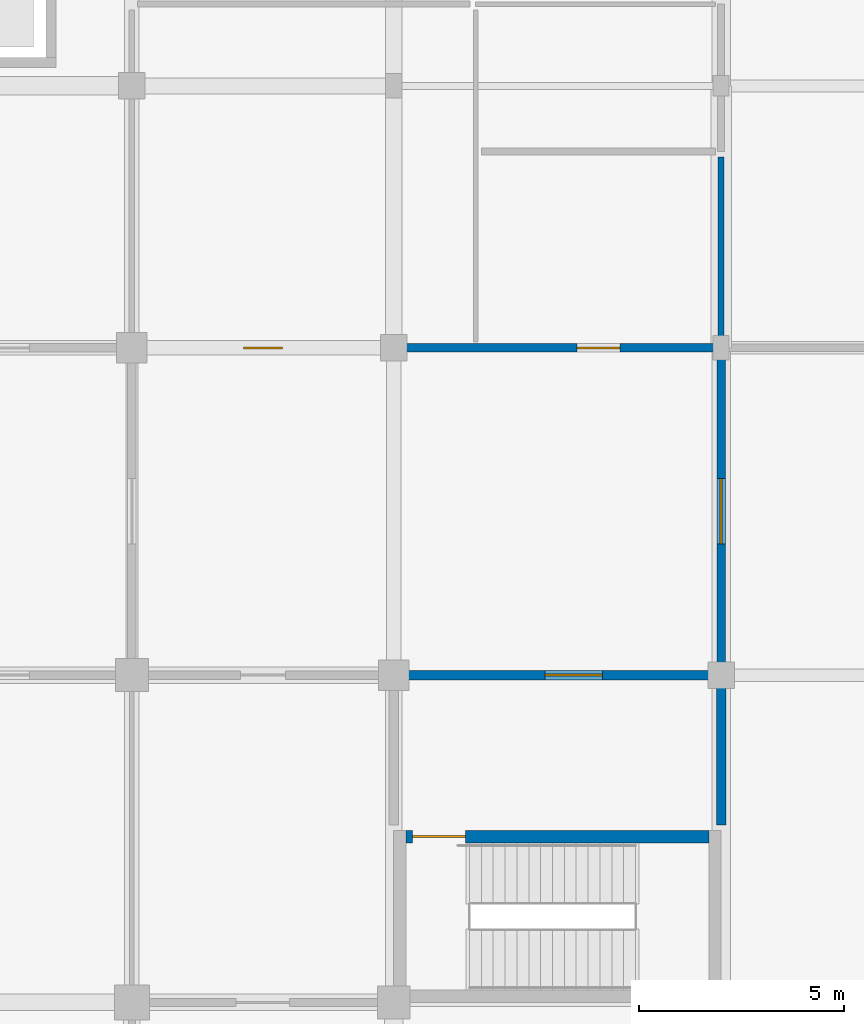
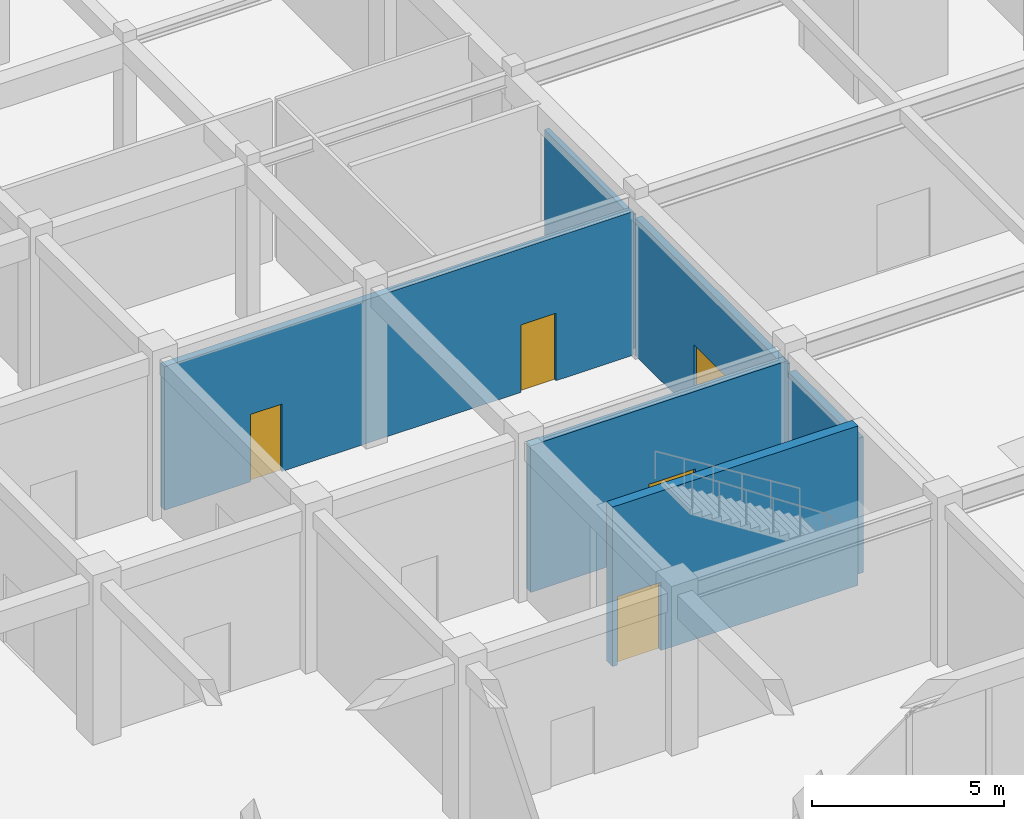
# One storey, part 25 of 40: 6 walls, 5 doors, 5 openings.
"""IFC4 building model written with IfcOpenShell, lengths in metres."""

from ifc_helpers import new_model, si_unit, direction, frame, frame_2d, origin, place, context, subcontext, project, spatial, rectangle, extrude, material, layer, layer_set, type_object, element, fill, save


model = new_model("IFC4")

# Units and contexts
model_context = context("Model", 3, precision=1e-05, world=origin(), true_north=direction((0.0, 1.0)))
body_context = subcontext(model_context, "Body", "Model", "MODEL_VIEW")
ifc_project = project(units=[si_unit("LENGTHUNIT", "METRE"), si_unit("AREAUNIT", "SQUARE_METRE"), si_unit("VOLUMEUNIT", "CUBIC_METRE"), si_unit("PLANEANGLEUNIT", "RADIAN"), si_unit("MASSUNIT", "GRAM", prefix="KILO")], contexts=[model_context])

# Site, building, storey
site_placement = place(None, origin())
site = spatial("IfcSite", under=ifc_project, at=site_placement, CompositionType="ELEMENT")
building_placement = place(site_placement, origin())
building = spatial("IfcBuilding", under=site, at=building_placement, Name="Vellmiral Cinema and Media Centre", CompositionType="ELEMENT")
storey_placement = place(building_placement, origin())
storey = spatial("IfcBuildingStorey", under=building, at=storey_placement, Name="L00", CompositionType="ELEMENT", Elevation=0.0)

# Wall, openings, doors
ifc_material_1 = material(Name="Concrete C40/50", Category="concrete")
ifc_layer_1 = layer(ifc_material_1, 0.2099609375, Name="Concrete C40/50")
ifc_layer_set_1 = layer_set([ifc_layer_1], Name="Concrete C40/50")
wall_type_1 = type_object("IfcWallType", Name="WL-COMP-210", PredefinedType="SOLIDWALL", material=ifc_layer_set_1)
wall_1_placement = place(storey_placement, frame((48.139892578125, 59.199951171875, 0.0), z_axis=(0.0, 0.0, 1.0), x_axis=(1.0, 0.0, 0.0)))
wall_1 = element("IfcWall", 1, at=wall_1_placement, inside=storey, type_object=wall_type_1, Name="L00 West Escape Passage Wall N", PredefinedType="SOLIDWALL", context=body_context, shape_type="SweptSolid", body=[
    extrude(rectangle(XDim=14.1201171875, YDim=0.2099609375, at=frame_2d((7.06005859375, 0.0))), origin(), (0.0, 0.0, 1.0), 4.574951171875),
])
opening_1_placement = place(wall_1_placement, frame((2.5849609375, 0.0, 0.0)))
opening_1 = element("IfcOpeningElement", 2, at=opening_1_placement, cuts=wall_1, Name="Opening D-I09", PredefinedType="OPENING", context=body_context, shape_type="SweptSolid", body=[
    extrude(rectangle(XDim=0.949951171875, YDim=2.14990234375, at=frame_2d((0.47509765625, 1.074951171875))), frame((0.0, 0.116943359375, 0.0), z_axis=(0.0, -1.0, 0.0), x_axis=(1.0, 0.0, 0.0)), (0.0, 0.0, 1.0), 0.23388671875),
])
opening_2_placement = place(wall_1_placement, frame((10.735107421875, 0.0, 0.0)))
opening_2 = element("IfcOpeningElement", 3, at=opening_2_placement, cuts=wall_1, Name="Opening D-I10", PredefinedType="OPENING", context=body_context, shape_type="SweptSolid", body=[
    extrude(rectangle(XDim=1.050048828125, YDim=2.14990234375, at=frame_2d((0.52490234375, 1.074951171875))), frame((0.0, 0.116943359375, 0.0), z_axis=(0.0, -1.0, 0.0), x_axis=(1.0, 0.0, 0.0)), (0.0, 0.0, 1.0), 0.23388671875),
])
ifc_material_2 = material(Name="Barrier-Free Timber Door", Category="wood")
door_type_1 = type_object("IfcDoorType", Name="DR-ACC-1050x2150", OperationType="NOTDEFINED", PredefinedType="DOOR", material=ifc_material_2)
door_1_placement = place(opening_2_placement, origin())
door_1 = element("IfcDoor", 4, at=door_1_placement, inside=storey, type_object=door_type_1, Name="Foyer Accessible WC Door", OperationType="SINGLE_SWING_RIGHT", OverallHeight=2.14990234375, OverallWidth=1.050048828125, PredefinedType="DOOR", context=body_context, shape_type="SweptSolid", body=[
    extrude(rectangle(XDim=1.050048828125, YDim=2.14990234375, at=frame_2d((0.52490234375, 1.074951171875))), frame((0.0, 0.02490234375, 0.0), z_axis=(0.0, -1.0, 0.0), x_axis=(1.0, 0.0, 0.0)), (0.0, 0.0, 1.0), 0.050048828125),
])
fill(opening_2, door_1)
ifc_material_3 = material(Name="Moisture-Resistant Timber Door", Category="wood")
door_type_2 = type_object("IfcDoorType", Name="DR-INT-950x2150", OperationType="NOTDEFINED", PredefinedType="DOOR", material=ifc_material_3)
door_2_placement = place(opening_1_placement, origin())
door_2 = element("IfcDoor", 5, at=door_2_placement, inside=storey, type_object=door_type_2, Name="Foyer Public WC Door", OperationType="SINGLE_SWING_LEFT", OverallHeight=2.14990234375, OverallWidth=0.949951171875, PredefinedType="DOOR", context=body_context, shape_type="SweptSolid", body=[
    extrude(rectangle(XDim=0.949951171875, YDim=2.14990234375, at=frame_2d((0.47509765625, 1.074951171875))), frame((0.0, 0.02490234375, 0.0), z_axis=(0.0, -1.0, 0.0), x_axis=(1.0, 0.0, 0.0)), (0.0, 0.0, 1.0), 0.050048828125),
])
fill(opening_1, door_2)

# Wall, opening, door
wall_2_placement = place(storey_placement, frame((62.39990234375, 51.340087890625, 0.0), z_axis=(0.0, 0.0, 1.0), x_axis=(0.0, 1.0, 0.0)))
wall_2 = element("IfcWall", 6, at=wall_2_placement, inside=storey, type_object=wall_type_1, Name="L00 West Escape Passage Wall E", PredefinedType="SOLIDWALL", context=body_context, shape_type="SweptSolid", body=[
    extrude(rectangle(XDim=7.719970703125, YDim=0.2099609375, at=frame_2d((3.85986328125, 0.0))), origin(), (0.0, 0.0, 1.0), 4.375),
])
opening_3_placement = place(wall_2_placement, frame((3.06005859375, 0.0, 0.0)))
opening_3 = element("IfcOpeningElement", 7, at=opening_3_placement, cuts=wall_2, Name="Opening D-FD60A", PredefinedType="OPENING", context=body_context, shape_type="SweptSolid", body=[
    extrude(rectangle(XDim=1.60009765625, YDim=2.199951171875, at=frame_2d((0.800048828125, 1.10009765625))), frame((0.0, 0.116943359375, 0.0), z_axis=(0.0, -1.0, 0.0), x_axis=(1.0, 0.0, 0.0)), (0.0, 0.0, 1.0), 0.23388671875),
])
ifc_material_4 = material(Name="Steel Fire Door", Category="steel")
door_type_3 = type_object("IfcDoorType", Name="DR-FD60-1600x2200", OperationType="DOUBLE_DOOR_SINGLE_SWING", PredefinedType="DOOR", material=ifc_material_4)
door_3_placement = place(opening_3_placement, origin())
door_3 = element("IfcDoor", 8, at=door_3_placement, inside=storey, type_object=door_type_3, Name="L00 West Escape Passage Door", OperationType="DOUBLE_DOOR_SINGLE_SWING", OverallHeight=2.199951171875, OverallWidth=1.60009765625, PredefinedType="DOOR", context=body_context, shape_type="SweptSolid", body=[
    extrude(rectangle(XDim=1.60009765625, YDim=2.199951171875, at=frame_2d((0.800048828125, 1.10009765625))), frame((0.0, 0.02490234375, 0.0), z_axis=(0.0, -1.0, 0.0), x_axis=(1.0, 0.0, 0.0)), (0.0, 0.0, 1.0), 0.050048828125),
])
fill(opening_3, door_3)

ifc_material_5 = material(Name="Concrete C40/50", Category="concrete")
ifc_layer_2 = layer(ifc_material_5, 0.300048828125, Name="Concrete C40/50")
ifc_layer_set_2 = layer_set([ifc_layer_2], Name="Concrete C40/50")
wall_type_2 = type_object("IfcWallType", Name="WL-CORE-300", PredefinedType="SHEAR", material=ifc_layer_set_2)
wall_3_placement = place(storey_placement, frame((54.699951171875, 47.25, 0.0), z_axis=(0.0, 0.0, 1.0), x_axis=(1.0, 0.0, 0.0)))
wall_3 = element("IfcWall", 9, at=wall_3_placement, inside=storey, type_object=wall_type_2, Name="Stair Core Wall ST-P3 L00-N", PredefinedType="SHEAR", context=body_context, shape_type="SweptSolid", body=[
    extrude(rectangle(XDim=7.400146484375, YDim=0.300048828125, at=frame_2d((3.7001953125, 0.0))), origin(), (0.0, 0.0, 1.0), 5.080078125),
])
opening_4_placement = place(wall_3_placement, frame((0.159912109375, 0.0, 0.0)))
opening_4 = element("IfcOpeningElement", 10, at=opening_4_placement, cuts=wall_3, Name="Opening D-FD30A", PredefinedType="OPENING", context=body_context, shape_type="SweptSolid", body=[
    extrude(rectangle(XDim=1.300048828125, YDim=2.179931640625, at=frame_2d((0.64990234375, 1.08984375))), frame((0.0, 0.162109375, 0.0), z_axis=(0.0, -1.0, 0.0), x_axis=(1.0, 0.0, 0.0)), (0.0, 0.0, 1.0), 0.323974609375),
])
ifc_material_6 = material(Name="Steel Stair Fire Door", Category="steel")
door_type_4 = type_object("IfcDoorType", Name="DR-FD30-1300x2180", OperationType="NOTDEFINED", PredefinedType="DOOR", material=ifc_material_6)
door_4_placement = place(opening_4_placement, origin())
door_4 = element("IfcDoor", 11, at=door_4_placement, inside=storey, type_object=door_type_4, Name="Protected Stair Door ST-P3 L00", OperationType="SINGLE_SWING_LEFT", OverallHeight=2.179931640625, OverallWidth=1.300048828125, PredefinedType="DOOR", context=body_context, shape_type="SweptSolid", body=[
    extrude(rectangle(XDim=1.300048828125, YDim=2.179931640625, at=frame_2d((0.64990234375, 1.08984375))), frame((0.0, 0.02490234375, 0.0), z_axis=(0.0, -1.0, 0.0), x_axis=(1.0, 0.0, 0.0)), (0.0, 0.0, 1.0), 0.050048828125),
])
fill(opening_4, door_4)

ifc_material_7 = material(Name="Concrete C40/50", Category="concrete")
ifc_layer_3 = layer(ifc_material_7, 0.22998046875, Name="Concrete C40/50")
ifc_layer_set_3 = layer_set([ifc_layer_3], Name="Concrete C40/50")
wall_type_3 = type_object("IfcWallType", Name="WL-FFL-230", PredefinedType="SOLIDWALL", material=ifc_layer_set_3)
wall_4_placement = place(storey_placement, frame((54.5400390625, 51.199951171875, 0.0), z_axis=(0.0, 0.0, 1.0), x_axis=(1.0, 0.0, 0.0)))
wall_4 = element("IfcWall", 12, at=wall_4_placement, inside=storey, type_object=wall_type_3, Name="Firefighting Stair Lobby ST-P3 Wall N", PredefinedType="SOLIDWALL", context=body_context, shape_type="SweptSolid", body=[
    extrude(rectangle(XDim=7.719970703125, YDim=0.22998046875, at=frame_2d((3.85986328125, 0.0))), origin(), (0.0, 0.0, 1.0), 4.675048828125),
])
opening_5_placement = place(wall_4_placement, frame((3.56005859375, 0.0, 0.0)))
opening_5 = element("IfcOpeningElement", 13, at=opening_5_placement, cuts=wall_4, Name="Opening D-FD60B", PredefinedType="OPENING", context=body_context, shape_type="SweptSolid", body=[
    extrude(rectangle(XDim=1.39990234375, YDim=2.199951171875, at=frame_2d((0.699951171875, 1.10009765625))), frame((0.0, 0.126953125, 0.0), z_axis=(0.0, -1.0, 0.0), x_axis=(1.0, 0.0, 0.0)), (0.0, 0.0, 1.0), 0.25390625),
])
ifc_material_8 = material(Name="Steel Fire Door", Category="steel")
door_type_5 = type_object("IfcDoorType", Name="DR-FD60-1400x2200", OperationType="NOTDEFINED", PredefinedType="DOOR", material=ifc_material_8)
door_5_placement = place(opening_5_placement, origin())
door_5 = element("IfcDoor", 14, at=door_5_placement, inside=storey, type_object=door_type_5, Name="Firefighting Stair Lobby ST-P3 Door", OperationType="SINGLE_SWING_RIGHT", OverallHeight=2.199951171875, OverallWidth=1.39990234375, PredefinedType="DOOR", context=body_context, shape_type="SweptSolid", body=[
    extrude(rectangle(XDim=1.39990234375, YDim=2.199951171875, at=frame_2d((0.699951171875, 1.10009765625))), frame((0.0, 0.02490234375, 0.0), z_axis=(0.0, -1.0, 0.0), x_axis=(1.0, 0.0, 0.0)), (0.0, 0.0, 1.0), 0.050048828125),
])
fill(opening_5, door_5)

# Walls
wall_5_placement = place(storey_placement, frame((62.39990234375, 47.5400390625, 0.0), z_axis=(0.0, 0.0, 1.0), x_axis=(0.0, 1.0, 0.0)))
element("IfcWall", 15, at=wall_5_placement, inside=storey, type_object=wall_type_3, Name="Firefighting Stair Lobby ST-P3 Wall E", PredefinedType="SOLIDWALL", context=body_context, shape_type="SweptSolid", body=[
    extrude(rectangle(XDim=3.52001953125, YDim=0.22998046875, at=frame_2d((1.760009765625, 0.0))), origin(), (0.0, 0.0, 1.0), 4.324951171875),
])
ifc_material_9 = material(Name="Gypsum Plasterboard")
ifc_layer_4 = layer(ifc_material_9, 0.02490234375, Name="Gypsum Plasterboard", Category="gypsum")
ifc_material_10 = material(Name="Mineral Wool Acoustic Insulation", Category="insulation")
ifc_layer_5 = layer(ifc_material_10, 0.10009765625, Name="Mineral Wool Acoustic Insulation", Category="insulation")
ifc_layer_6 = layer(ifc_material_9, 0.02490234375, Name="Gypsum Plasterboard", Category="gypsum")
ifc_layer_set_4 = layer_set([ifc_layer_4, ifc_layer_5, ifc_layer_6], Name="Gypsum Plasterboard")
wall_type_4 = type_object("IfcWallType", Name="WL-PART-150", PredefinedType="PARTITIONING", material=ifc_layer_set_4)
wall_6_placement = place(storey_placement, frame((62.39990234375, 59.340087890625, 0.0), z_axis=(0.0, 0.0, 1.0), x_axis=(0.0, 1.0, 0.0)))
element("IfcWall", 16, at=wall_6_placement, inside=storey, type_object=wall_type_4, Name="Foyer Accessible WC Wall E", PredefinedType="PARTITIONING", context=body_context, shape_type="SweptSolid", body=[
    extrude(rectangle(XDim=4.52001953125, YDim=0.14990234375, at=frame_2d((2.260009765625, 0.0))), origin(), (0.0, 0.0, 1.0), 4.27490234375),
])

save(model, "model.ifc")
